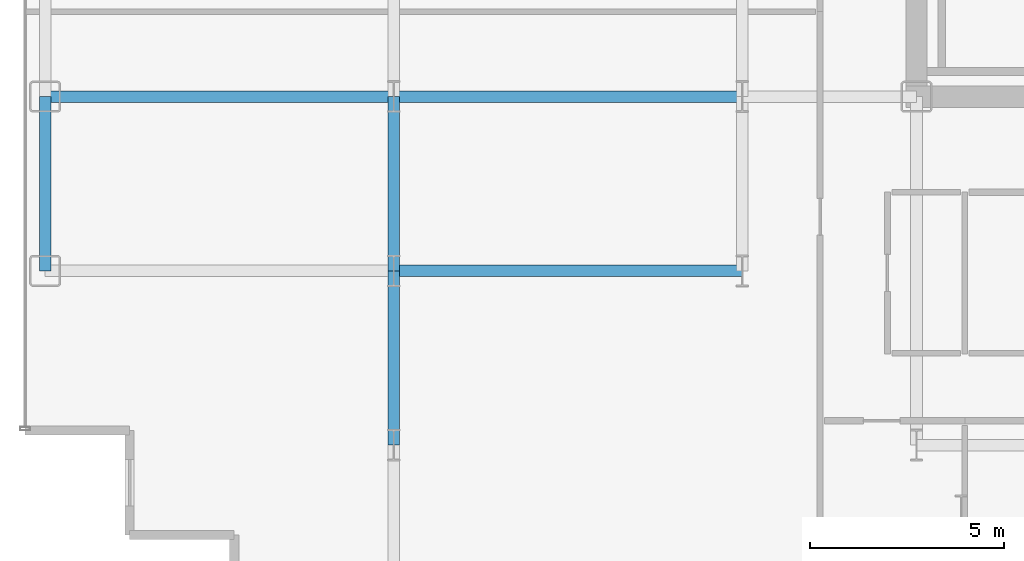
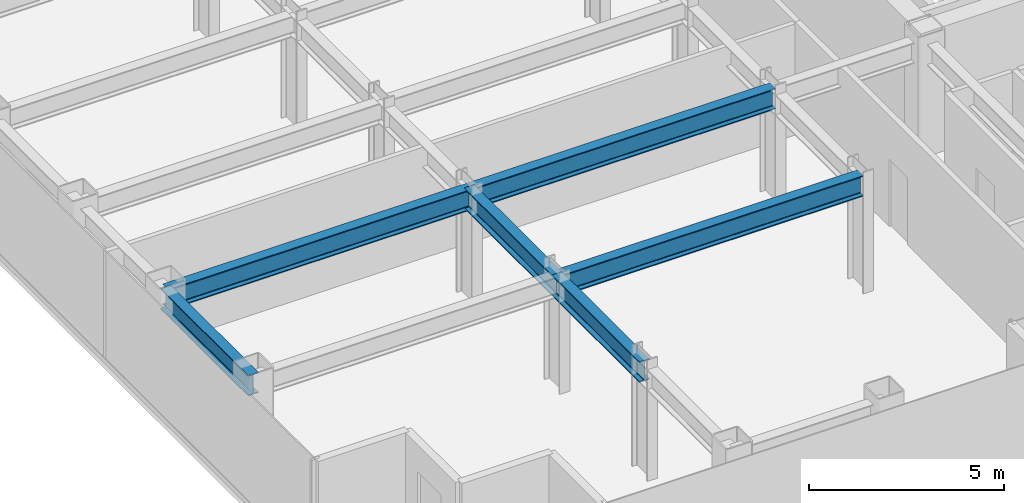
# One storey, part 4 of 23: 6 beams.
"""IFC4 building model written with IfcOpenShell, lengths in metres."""

from ifc_helpers import new_model, si_unit, direction, frame, origin, origin_2d, place, context, subcontext, project, spatial, i_section, extrude, source, transform, mapped, material, material_profile, profile_set, type_object, element, save


model = new_model("IFC4")

# Units and contexts
model_context = context("Model", 3, precision=1e-05, world=origin(), true_north=direction((0.0, 1.0)))
body_context = subcontext(model_context, "Body", "Model", "MODEL_VIEW")
ifc_project = project(units=[si_unit("LENGTHUNIT", "METRE"), si_unit("AREAUNIT", "SQUARE_METRE"), si_unit("VOLUMEUNIT", "CUBIC_METRE"), si_unit("PLANEANGLEUNIT", "RADIAN"), si_unit("MASSUNIT", "GRAM", prefix="KILO")], contexts=[model_context])

# Site, building, storey
site_placement = place(None, origin())
site = spatial("IfcSite", under=ifc_project, at=site_placement, CompositionType="ELEMENT")
building_placement = place(site_placement, origin())
building = spatial("IfcBuilding", under=site, at=building_placement, Name="Nefas-Gora Pilgrimage Tower", CompositionType="ELEMENT")
storey_placement = place(building_placement, frame((0.0, 0.0, 198.199951171875)))
storey = spatial("IfcBuildingStorey", under=building, at=storey_placement, Name="L49", CompositionType="ELEMENT", Elevation=198.199951171875)

# Beams
ifc_material = material(Name="Steel S355", Category="steel")
ifc_material_profile_1 = material_profile(ifc_material, i_section(OverallWidth=0.300048828125, OverallDepth=0.64990234375, WebThickness=0.01611328125, FlangeThickness=0.031005859375, FilletRadius=0.027099609375, at=origin_2d()), Name="HEB 650")
ifc_profile_set_1 = profile_set([ifc_material_profile_1], Name="Steel S355")
beam_type_1 = type_object("IfcBeamType", Name="BM-SPN-HEB500", PredefinedType="SPANDREL", material=ifc_profile_set_1)
shared_shape_1 = source(origin(), body_context, "Body", "SweptSolid", [
    extrude(i_section(OverallWidth=0.300048828125, OverallDepth=0.64990234375, WebThickness=0.01611328125, FlangeThickness=0.031005859375, FilletRadius=0.027099609375, at=origin_2d()), origin(), (0.0, 0.0, 1.0), 4.5),
])
beam_placement = place(storey_placement, frame((-33.75, -13.5, 3.175048828125), z_axis=(0.0, 1.0, 0.0), x_axis=(-1.0, 0.0, 0.0)))
element("IfcBeam", 1, at=beam_placement, inside=storey, type_object=beam_type_1, Name="L49 SP-02 beam", PredefinedType="SPANDREL", context=body_context, shape_type="MappedRepresentation", body=[
    mapped(shared_shape_1, transform((0.0, 0.0, 0.0), x_axis=(1.0, 0.0, 0.0), y_axis=(0.0, 1.0, 0.0), z_axis=(0.0, 0.0, 1.0), scale=1.0)),
])
ifc_material_profile_2 = material_profile(ifc_material, i_section(OverallWidth=0.300048828125, OverallDepth=0.64990234375, WebThickness=0.01611328125, FlangeThickness=0.031005859375, FilletRadius=0.027099609375, at=origin_2d()), Name="HEB 650")
ifc_profile_set_2 = profile_set([ifc_material_profile_2], Name="Steel S355")
beam_type_2 = type_object("IfcBeamType", Name="BM-GIR-HEB650", PredefinedType="BEAM", material=ifc_profile_set_2)
shared_shape_2 = source(origin(), body_context, "Body", "SweptSolid", [
    extrude(i_section(OverallWidth=0.300048828125, OverallDepth=0.64990234375, WebThickness=0.01611328125, FlangeThickness=0.031005859375, FilletRadius=0.027099609375, at=origin_2d()), origin(), (0.0, 0.0, 1.0), 9.0),
])
for number, where, z_axis, x_axis, name in (
    (2, (-33.75, -9.0, 3.175048828125), (1.0, 0.0, 0.0), (0.0, 1.0, 0.0), "L49 G-03 beam"),
    (3, (-24.75, -13.5, 3.175048828125), (1.0, 0.0, 0.0), (0.0, 1.0, 0.0), "L49 G-03 beam"),
    (4, (-24.75, -9.0, 3.175048828125), (1.0, 0.0, 0.0), (0.0, 1.0, 0.0), "L49 G-03 beam"),
):
    element("IfcBeam", number, at=place(storey_placement, frame(where, z_axis=z_axis, x_axis=x_axis)), inside=storey, type_object=beam_type_2, Name=name, PredefinedType="BEAM", context=body_context, shape_type="MappedRepresentation", body=[
        mapped(shared_shape_2, transform((0.0, 0.0, 0.0), x_axis=(1.0, 0.0, 0.0), y_axis=(0.0, 1.0, 0.0), z_axis=(0.0, 0.0, 1.0), scale=1.0)),
    ])
shared_shape_3 = source(origin(), body_context, "Body", "SweptSolid", [
    extrude(i_section(OverallWidth=0.300048828125, OverallDepth=0.64990234375, WebThickness=0.01611328125, FlangeThickness=0.031005859375, FilletRadius=0.027099609375, at=origin_2d()), origin(), (0.0, 0.0, 1.0), 4.5),
])
for number, where, z_axis, x_axis, name in (
    (5, (-24.75, -18.0, 3.175048828125), (0.0, 1.0, 0.0), (-1.0, 0.0, 0.0), "L49 G-03 beam"),
    (6, (-24.75, -13.5, 3.175048828125), (0.0, 1.0, 0.0), (-1.0, 0.0, 0.0), "L49 G-03 beam"),
):
    element("IfcBeam", number, at=place(storey_placement, frame(where, z_axis=z_axis, x_axis=x_axis)), inside=storey, type_object=beam_type_2, Name=name, PredefinedType="BEAM", context=body_context, shape_type="MappedRepresentation", body=[
        mapped(shared_shape_3, transform((0.0, 0.0, 0.0), x_axis=(1.0, 0.0, 0.0), y_axis=(0.0, 1.0, 0.0), z_axis=(0.0, 0.0, 1.0), scale=1.0)),
    ])

save(model, "model.ifc")
